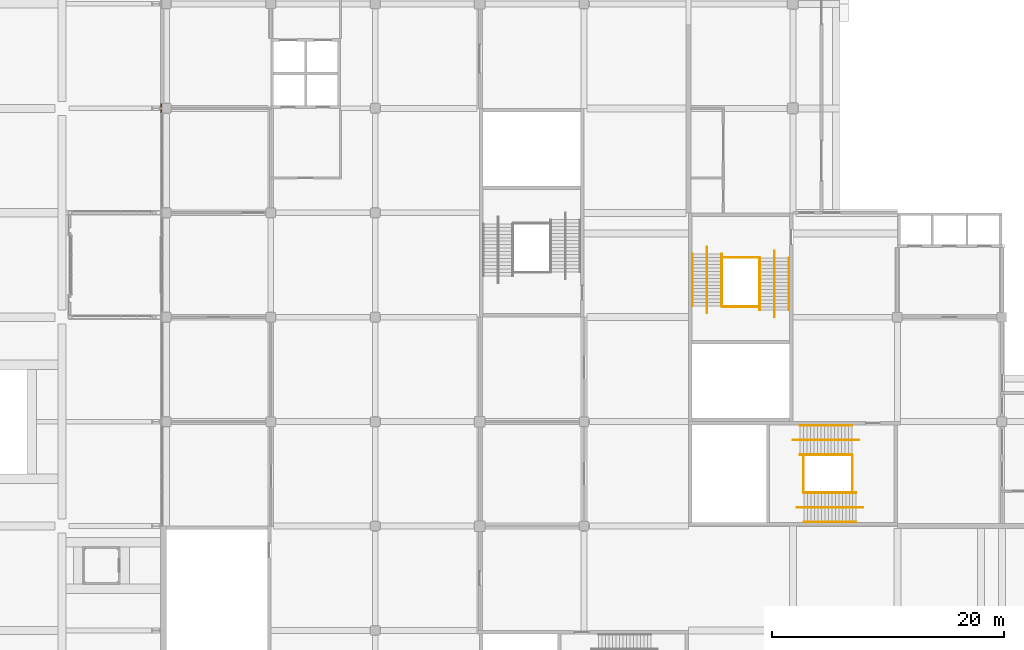
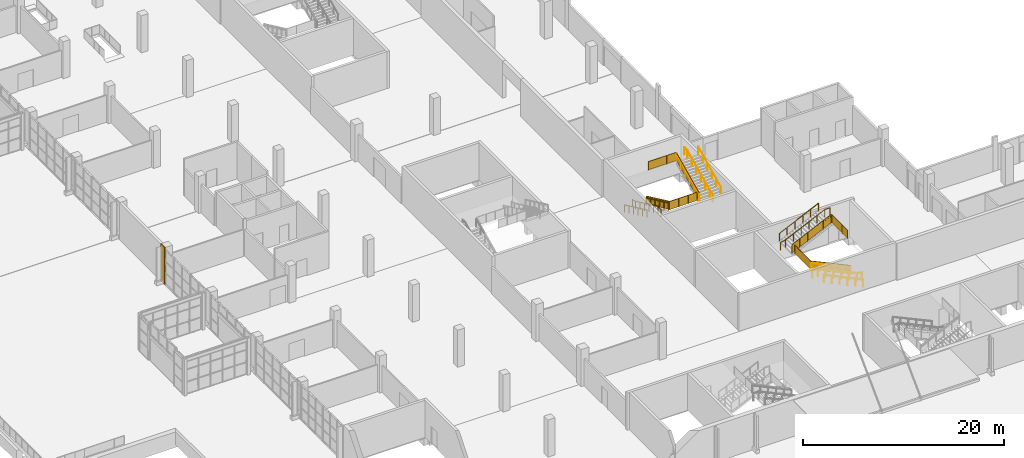
# One storey, part 144 of 168: 20 railings, 1 covering.
"""IFC4 building model written with IfcOpenShell, lengths in metres."""

from ifc_helpers import new_model, si_unit, direction, frame, origin, origin_2d, place, context, subcontext, project, spatial, polyline, circle, outline, extrude, material, layer, layer_set, type_object, element, save


model = new_model("IFC4")

# Units and contexts
model_context = context("Model", 3, precision=1e-05, world=origin(), true_north=direction((0.0, 1.0)))
body_context = subcontext(model_context, "Body", "Model", "MODEL_VIEW")
ifc_project = project(units=[si_unit("LENGTHUNIT", "METRE"), si_unit("AREAUNIT", "SQUARE_METRE"), si_unit("VOLUMEUNIT", "CUBIC_METRE"), si_unit("PLANEANGLEUNIT", "RADIAN"), si_unit("MASSUNIT", "GRAM", prefix="KILO")], contexts=[model_context])

# Site, building, storey
site_placement = place(None, origin())
site = spatial("IfcSite", under=ifc_project, at=site_placement, CompositionType="ELEMENT")
building_placement = place(site_placement, origin())
building = spatial("IfcBuilding", under=site, at=building_placement, Name="Silverbay Arena", CompositionType="ELEMENT")
storey_placement = place(building_placement, frame((0.0, 0.0, 7.0)))
storey = spatial("IfcBuildingStorey", under=building, at=storey_placement, Name="L01", CompositionType="ELEMENT", Elevation=7.0)

# Covering
ifc_material_1 = material(Name="Aluminium composite cladding", Category="aluminium")
ifc_layer = layer(ifc_material_1, 0.10009765625)
ifc_layer_set = layer_set([ifc_layer], Name="Aluminium composite cladding")
covering_type = type_object("IfcCoveringType", Name="Column cladding 100", PredefinedType="CLADDING", material=ifc_layer_set)
covering_placement = place(storey_placement, origin())
element("IfcCovering", 1, at=covering_placement, inside=storey, type_object=covering_type, Name="West column cladding L01 32", PredefinedType="CLADDING", context=body_context, shape_type="SweptSolid", body=[
    extrude(outline(polyline([(26.5, 71.60009765625), (26.60009765625, 71.60009765625), (26.60009765625, 72.39990234375), (26.5, 72.39990234375), (26.5, 71.60009765625)])), origin(), (0.0, 0.0, 1.0), 4.5),
])

# Railings
ifc_material_2 = material(Name="Stainless steel", Category="steel")
railing_type_1 = type_object("IfcRailingType", Name="Stair guard 1100", PredefinedType="GUARDRAIL", material=ifc_material_2)
railing_1_placement = place(storey_placement, frame((86.453369140625, 38.875, 0.140625)))
element("IfcRailing", 2, at=railing_1_placement, inside=storey, type_object=railing_type_1, Name="Stair ST-SW1 L01 to L02 flight 1 guard left", PredefinedType="GUARDRAIL", context=body_context, shape_type="SweptSolid", body=[
    extrude(circle(Radius=0.02392578125, at=origin_2d()), frame((0.0, 0.0, 1.076171875), z_axis=(-0.905458935959, 0.0, 0.424433876231), x_axis=(0.0, -1.0, 0.0)), (0.0, 0.0, 1.0), 4.969970703125),
    extrude(outline(polyline([(-0.008056640625, 0.046142578125), (0.907958984375, 0.4755859375), (0.907958984375, 1.478515625), (-0.008056640625, 1.04931640625), (-0.008056640625, 0.046142578125)])), frame((0.0, -0.0029296875, 0.0), z_axis=(0.0, 1.0, 0.0), x_axis=(-1.0, 0.0, 0.0)), (0.0, 0.0, 1.0), 0.006103515625),
    extrude(outline(polyline([(-0.008056640625, 0.468017578125), (0.907958984375, 0.8974609375), (0.907958984375, 1.900390625), (-0.008056640625, 1.47119140625), (-0.008056640625, 0.468017578125)])), frame((-0.89990234375, -0.0029296875, 0.0), z_axis=(0.0, 1.0, 0.0), x_axis=(-1.0, 0.0, 0.0)), (0.0, 0.0, 1.0), 0.006103515625),
    extrude(outline(polyline([(-0.008056640625, 0.889892578125), (0.907958984375, 1.3193359375), (0.907958984375, 2.322265625), (-0.008056640625, 1.89306640625), (-0.008056640625, 0.889892578125)])), frame((-1.800048828125, -0.0029296875, 0.0), z_axis=(0.0, 1.0, 0.0), x_axis=(-1.0, 0.0, 0.0)), (0.0, 0.0, 1.0), 0.006103515625),
    extrude(outline(polyline([(-0.008056640625, 1.311767578125), (0.907958984375, 1.7412109375), (0.907958984375, 2.744140625), (-0.008056640625, 2.31494140625), (-0.008056640625, 1.311767578125)])), frame((-2.699951171875, -0.0029296875, 0.0), z_axis=(0.0, 1.0, 0.0), x_axis=(-1.0, 0.0, 0.0)), (0.0, 0.0, 1.0), 0.006103515625),
    extrude(outline(polyline([(-0.008056640625, 1.733642578125), (0.907958984375, 2.1630859375), (0.907958984375, 3.166015625), (-0.008056640625, 2.73681640625), (-0.008056640625, 1.733642578125)])), frame((-3.60009765625, -0.0029296875, 0.0), z_axis=(0.0, 1.0, 0.0), x_axis=(-1.0, 0.0, 0.0)), (0.0, 0.0, 1.0), 0.006103515625),
    extrude(circle(Radius=0.02099609375, at=origin_2d()), origin(), (0.0, 0.0, 1.0), 1.052001953125),
    extrude(circle(Radius=0.02099609375, at=origin_2d()), frame((-0.89990234375, 0.0, 0.421875)), (0.0, 0.0, 1.0), 1.052001953125),
    extrude(circle(Radius=0.02099609375, at=origin_2d()), frame((-1.800048828125, 0.0, 0.84375)), (0.0, 0.0, 1.0), 1.052001953125),
    extrude(circle(Radius=0.02099609375, at=origin_2d()), frame((-2.699951171875, 0.0, 1.265625)), (0.0, 0.0, 1.0), 1.052001953125),
    extrude(circle(Radius=0.02099609375, at=origin_2d()), frame((-3.60009765625, 0.0, 1.6875)), (0.0, 0.0, 1.0), 1.052001953125),
    extrude(circle(Radius=0.02099609375, at=origin_2d()), frame((-4.5, 0.0, 2.109375)), (0.0, 0.0, 1.0), 1.052001953125),
])
railing_2_placement = place(storey_placement, frame((81.60009765625, 42.125, 2.390625)))
element("IfcRailing", 3, at=railing_2_placement, inside=storey, type_object=railing_type_1, Name="Stair ST-SW1 L01 to L02 flight 2 guard right", PredefinedType="GUARDRAIL", context=body_context, shape_type="SweptSolid", body=[
    extrude(circle(Radius=0.02392578125, at=origin_2d()), frame((0.0, 0.0, 1.076171875), z_axis=(0.905458935959, 0.0, 0.424433876231), x_axis=(0.0, 1.0, 0.0)), (0.0, 0.0, 1.0), 4.969970703125),
    extrude(outline(polyline([(-0.008056640625, 0.046142578125), (0.907958984375, 0.4755859375), (0.907958984375, 1.478515625), (-0.008056640625, 1.04931640625), (-0.008056640625, 0.046142578125)])), frame((0.0, 0.0029296875, 0.0), z_axis=(0.0, -1.0, 0.0), x_axis=(1.0, 0.0, 0.0)), (0.0, 0.0, 1.0), 0.006103515625),
    extrude(outline(polyline([(-0.008056640625, 0.468017578125), (0.907958984375, 0.8974609375), (0.907958984375, 1.900390625), (-0.008056640625, 1.47119140625), (-0.008056640625, 0.468017578125)])), frame((0.89990234375, 0.0029296875, 0.0), z_axis=(0.0, -1.0, 0.0), x_axis=(1.0, 0.0, 0.0)), (0.0, 0.0, 1.0), 0.006103515625),
    extrude(outline(polyline([(-0.008056640625, 0.889892578125), (0.907958984375, 1.3193359375), (0.907958984375, 2.322265625), (-0.008056640625, 1.89306640625), (-0.008056640625, 0.889892578125)])), frame((1.800048828125, 0.0029296875, 0.0), z_axis=(0.0, -1.0, 0.0), x_axis=(1.0, 0.0, 0.0)), (0.0, 0.0, 1.0), 0.006103515625),
    extrude(outline(polyline([(-0.008056640625, 1.311767578125), (0.907958984375, 1.7412109375), (0.907958984375, 2.744140625), (-0.008056640625, 2.31494140625), (-0.008056640625, 1.311767578125)])), frame((2.699951171875, 0.0029296875, 0.0), z_axis=(0.0, -1.0, 0.0), x_axis=(1.0, 0.0, 0.0)), (0.0, 0.0, 1.0), 0.006103515625),
    extrude(outline(polyline([(-0.008056640625, 1.733642578125), (0.907958984375, 2.1630859375), (0.907958984375, 3.166015625), (-0.008056640625, 2.73681640625), (-0.008056640625, 1.733642578125)])), frame((3.60009765625, 0.0029296875, 0.0), z_axis=(0.0, -1.0, 0.0), x_axis=(1.0, 0.0, 0.0)), (0.0, 0.0, 1.0), 0.006103515625),
    extrude(circle(Radius=0.02099609375, at=origin_2d()), origin(), (0.0, 0.0, 1.0), 1.052001953125),
    extrude(circle(Radius=0.02099609375, at=origin_2d()), frame((0.89990234375, 0.0, 0.421875)), (0.0, 0.0, 1.0), 1.052001953125),
    extrude(circle(Radius=0.02099609375, at=origin_2d()), frame((1.800048828125, 0.0, 0.84375)), (0.0, 0.0, 1.0), 1.052001953125),
    extrude(circle(Radius=0.02099609375, at=origin_2d()), frame((2.699951171875, 0.0, 1.265625)), (0.0, 0.0, 1.0), 1.052001953125),
    extrude(circle(Radius=0.02099609375, at=origin_2d()), frame((3.60009765625, 0.0, 1.6875)), (0.0, 0.0, 1.0), 1.052001953125),
    extrude(circle(Radius=0.02099609375, at=origin_2d()), frame((4.5, 0.0, 2.109375)), (0.0, 0.0, 1.0), 1.052001953125),
])
for number, where, name in (
    (4, (81.9033203125, 42.10009765625, 2.25), "Stair ST-SW1 L01 to L02 landing 1 guard"),
    (5, (86.14990234375, 42.10009765625, 4.5), "Stair ST-SW1 L01 to L02 landing 2 guard"),
):
    element("IfcRailing", number, at=place(storey_placement, frame(where)), inside=storey, type_object=railing_type_1, Name=name, PredefinedType="GUARDRAIL", context=body_context, shape_type="SweptSolid", body=[
        extrude(circle(Radius=0.02392578125, at=origin_2d()), frame((0.0, 0.0, 1.076171875), z_axis=(0.0, -1.0, 0.0), x_axis=(1.0, 0.0, 0.0)), (0.0, 0.0, 1.0), 3.2001953125),
        extrude(outline(polyline([(-0.008056640625, 0.050048828125), (1.07470703125, 0.050048828125), (1.07470703125, 1.052978515625), (-0.008056640625, 1.052978515625), (-0.008056640625, 0.050048828125)])), frame((0.0029296875, 0.0, 0.0), z_axis=(-1.0, 0.0, 0.0), x_axis=(0.0, -1.0, 0.0)), (0.0, 0.0, 1.0), 0.006103515625),
        extrude(outline(polyline([(-0.008056640625, 0.050048828125), (1.07470703125, 0.050048828125), (1.07470703125, 1.052978515625), (-0.008056640625, 1.052978515625), (-0.008056640625, 0.050048828125)])), frame((0.0029296875, -1.066650390625, 0.0), z_axis=(-1.0, 0.0, 0.0), x_axis=(0.0, -1.0, 0.0)), (0.0, 0.0, 1.0), 0.006103515625),
        extrude(outline(polyline([(-0.008056640625, 0.050048828125), (1.07470703125, 0.050048828125), (1.07470703125, 1.052978515625), (-0.008056640625, 1.052978515625), (-0.008056640625, 0.050048828125)])), frame((0.0029296875, -2.133544921875, 0.0), z_axis=(-1.0, 0.0, 0.0), x_axis=(0.0, -1.0, 0.0)), (0.0, 0.0, 1.0), 0.006103515625),
        extrude(circle(Radius=0.02099609375, at=origin_2d()), origin(), (0.0, 0.0, 1.0), 1.052001953125),
        extrude(circle(Radius=0.02099609375, at=origin_2d()), frame((0.0, -1.066650390625, 0.0)), (0.0, 0.0, 1.0), 1.052001953125),
        extrude(circle(Radius=0.02099609375, at=origin_2d()), frame((0.0, -2.133544921875, 0.0)), (0.0, 0.0, 1.0), 1.052001953125),
        extrude(circle(Radius=0.02099609375, at=origin_2d()), frame((0.0, -3.2001953125, 0.0)), (0.0, 0.0, 1.0), 1.052001953125),
    ])
railing_3_placement = place(storey_placement, frame((74.875, 59.453369140625, 0.140625)))
element("IfcRailing", 6, at=railing_3_placement, inside=storey, type_object=railing_type_1, Name="Stair ST-SW2 L01 to L02 flight 1 guard left", PredefinedType="GUARDRAIL", context=body_context, shape_type="SweptSolid", body=[
    extrude(circle(Radius=0.02392578125, at=origin_2d()), frame((0.0, 0.0, 1.076171875), z_axis=(0.0, -0.905458935959, 0.424433876231), x_axis=(1.0, 0.0, 0.0)), (0.0, 0.0, 1.0), 4.969970703125),
    extrude(outline(polyline([(-0.008056640625, 0.046142578125), (0.907958984375, 0.4755859375), (0.907958984375, 1.478515625), (-0.008056640625, 1.04931640625), (-0.008056640625, 0.046142578125)])), frame((0.0029296875, 0.0, 0.0), z_axis=(-1.0, 0.0, 0.0), x_axis=(0.0, -1.0, 0.0)), (0.0, 0.0, 1.0), 0.006103515625),
    extrude(outline(polyline([(-0.008056640625, 0.468017578125), (0.907958984375, 0.8974609375), (0.907958984375, 1.900390625), (-0.008056640625, 1.47119140625), (-0.008056640625, 0.468017578125)])), frame((0.0029296875, -0.89990234375, 0.0), z_axis=(-1.0, 0.0, 0.0), x_axis=(0.0, -1.0, 0.0)), (0.0, 0.0, 1.0), 0.006103515625),
    extrude(outline(polyline([(-0.008056640625, 0.889892578125), (0.907958984375, 1.3193359375), (0.907958984375, 2.322265625), (-0.008056640625, 1.89306640625), (-0.008056640625, 0.889892578125)])), frame((0.0029296875, -1.800048828125, 0.0), z_axis=(-1.0, 0.0, 0.0), x_axis=(0.0, -1.0, 0.0)), (0.0, 0.0, 1.0), 0.006103515625),
    extrude(outline(polyline([(-0.008056640625, 1.311767578125), (0.907958984375, 1.7412109375), (0.907958984375, 2.744140625), (-0.008056640625, 2.31494140625), (-0.008056640625, 1.311767578125)])), frame((0.0029296875, -2.699951171875, 0.0), z_axis=(-1.0, 0.0, 0.0), x_axis=(0.0, -1.0, 0.0)), (0.0, 0.0, 1.0), 0.006103515625),
    extrude(outline(polyline([(-0.008056640625, 1.733642578125), (0.907958984375, 2.1630859375), (0.907958984375, 3.166015625), (-0.008056640625, 2.73681640625), (-0.008056640625, 1.733642578125)])), frame((0.0029296875, -3.60009765625, 0.0), z_axis=(-1.0, 0.0, 0.0), x_axis=(0.0, -1.0, 0.0)), (0.0, 0.0, 1.0), 0.006103515625),
    extrude(circle(Radius=0.02099609375, at=origin_2d()), origin(), (0.0, 0.0, 1.0), 1.052001953125),
    extrude(circle(Radius=0.02099609375, at=origin_2d()), frame((0.0, -0.89990234375, 0.421875)), (0.0, 0.0, 1.0), 1.052001953125),
    extrude(circle(Radius=0.02099609375, at=origin_2d()), frame((0.0, -1.800048828125, 0.84375)), (0.0, 0.0, 1.0), 1.052001953125),
    extrude(circle(Radius=0.02099609375, at=origin_2d()), frame((0.0, -2.699951171875, 1.265625)), (0.0, 0.0, 1.0), 1.052001953125),
    extrude(circle(Radius=0.02099609375, at=origin_2d()), frame((0.0, -3.60009765625, 1.6875)), (0.0, 0.0, 1.0), 1.052001953125),
    extrude(circle(Radius=0.02099609375, at=origin_2d()), frame((0.0, -4.5, 2.109375)), (0.0, 0.0, 1.0), 1.052001953125),
])
railing_4_placement = place(storey_placement, frame((78.125, 54.60009765625, 2.390625)))
element("IfcRailing", 7, at=railing_4_placement, inside=storey, type_object=railing_type_1, Name="Stair ST-SW2 L01 to L02 flight 2 guard right", PredefinedType="GUARDRAIL", context=body_context, shape_type="SweptSolid", body=[
    extrude(circle(Radius=0.02392578125, at=origin_2d()), frame((0.0, 0.0, 1.076171875), z_axis=(0.0, 0.905458935959, 0.424433876231), x_axis=(-1.0, 0.0, 0.0)), (0.0, 0.0, 1.0), 4.969970703125),
    extrude(outline(polyline([(-0.008056640625, 0.046142578125), (0.907958984375, 0.4755859375), (0.907958984375, 1.478515625), (-0.008056640625, 1.04931640625), (-0.008056640625, 0.046142578125)])), frame((-0.0029296875, 0.0, 0.0), z_axis=(1.0, 0.0, 0.0), x_axis=(0.0, 1.0, 0.0)), (0.0, 0.0, 1.0), 0.006103515625),
    extrude(outline(polyline([(-0.008056640625, 0.468017578125), (0.907958984375, 0.8974609375), (0.907958984375, 1.900390625), (-0.008056640625, 1.47119140625), (-0.008056640625, 0.468017578125)])), frame((-0.0029296875, 0.89990234375, 0.0), z_axis=(1.0, 0.0, 0.0), x_axis=(0.0, 1.0, 0.0)), (0.0, 0.0, 1.0), 0.006103515625),
    extrude(outline(polyline([(-0.008056640625, 0.889892578125), (0.907958984375, 1.3193359375), (0.907958984375, 2.322265625), (-0.008056640625, 1.89306640625), (-0.008056640625, 0.889892578125)])), frame((-0.0029296875, 1.800048828125, 0.0), z_axis=(1.0, 0.0, 0.0), x_axis=(0.0, 1.0, 0.0)), (0.0, 0.0, 1.0), 0.006103515625),
    extrude(outline(polyline([(-0.008056640625, 1.311767578125), (0.907958984375, 1.7412109375), (0.907958984375, 2.744140625), (-0.008056640625, 2.31494140625), (-0.008056640625, 1.311767578125)])), frame((-0.0029296875, 2.699951171875, 0.0), z_axis=(1.0, 0.0, 0.0), x_axis=(0.0, 1.0, 0.0)), (0.0, 0.0, 1.0), 0.006103515625),
    extrude(outline(polyline([(-0.008056640625, 1.733642578125), (0.907958984375, 2.1630859375), (0.907958984375, 3.166015625), (-0.008056640625, 2.73681640625), (-0.008056640625, 1.733642578125)])), frame((-0.0029296875, 3.60009765625, 0.0), z_axis=(1.0, 0.0, 0.0), x_axis=(0.0, 1.0, 0.0)), (0.0, 0.0, 1.0), 0.006103515625),
    extrude(circle(Radius=0.02099609375, at=origin_2d()), origin(), (0.0, 0.0, 1.0), 1.052001953125),
    extrude(circle(Radius=0.02099609375, at=origin_2d()), frame((0.0, 0.89990234375, 0.421875)), (0.0, 0.0, 1.0), 1.052001953125),
    extrude(circle(Radius=0.02099609375, at=origin_2d()), frame((0.0, 1.800048828125, 0.84375)), (0.0, 0.0, 1.0), 1.052001953125),
    extrude(circle(Radius=0.02099609375, at=origin_2d()), frame((0.0, 2.699951171875, 1.265625)), (0.0, 0.0, 1.0), 1.052001953125),
    extrude(circle(Radius=0.02099609375, at=origin_2d()), frame((0.0, 3.60009765625, 1.6875)), (0.0, 0.0, 1.0), 1.052001953125),
    extrude(circle(Radius=0.02099609375, at=origin_2d()), frame((0.0, 4.5, 2.109375)), (0.0, 0.0, 1.0), 1.052001953125),
])
for number, where, name in (
    (8, (78.10009765625, 54.9033203125, 2.25), "Stair ST-SW2 L01 to L02 landing 1 guard"),
    (9, (78.10009765625, 59.14990234375, 4.5), "Stair ST-SW2 L01 to L02 landing 2 guard"),
):
    element("IfcRailing", number, at=place(storey_placement, frame(where)), inside=storey, type_object=railing_type_1, Name=name, PredefinedType="GUARDRAIL", context=body_context, shape_type="SweptSolid", body=[
        extrude(circle(Radius=0.02392578125, at=origin_2d()), frame((0.0, 0.0, 1.076171875), z_axis=(-1.0, 0.0, 0.0), x_axis=(0.0, -1.0, 0.0)), (0.0, 0.0, 1.0), 3.2001953125),
        extrude(outline(polyline([(-0.008056640625, 0.050048828125), (1.07470703125, 0.050048828125), (1.07470703125, 1.052978515625), (-0.008056640625, 1.052978515625), (-0.008056640625, 0.050048828125)])), frame((0.0, -0.0029296875, 0.0), z_axis=(0.0, 1.0, 0.0), x_axis=(-1.0, 0.0, 0.0)), (0.0, 0.0, 1.0), 0.006103515625),
        extrude(outline(polyline([(-0.008056640625, 0.050048828125), (1.07470703125, 0.050048828125), (1.07470703125, 1.052978515625), (-0.008056640625, 1.052978515625), (-0.008056640625, 0.050048828125)])), frame((-1.066650390625, -0.0029296875, 0.0), z_axis=(0.0, 1.0, 0.0), x_axis=(-1.0, 0.0, 0.0)), (0.0, 0.0, 1.0), 0.006103515625),
        extrude(outline(polyline([(-0.008056640625, 0.050048828125), (1.07470703125, 0.050048828125), (1.07470703125, 1.052978515625), (-0.008056640625, 1.052978515625), (-0.008056640625, 0.050048828125)])), frame((-2.133544921875, -0.0029296875, 0.0), z_axis=(0.0, 1.0, 0.0), x_axis=(-1.0, 0.0, 0.0)), (0.0, 0.0, 1.0), 0.006103515625),
        extrude(circle(Radius=0.02099609375, at=origin_2d()), origin(), (0.0, 0.0, 1.0), 1.052001953125),
        extrude(circle(Radius=0.02099609375, at=origin_2d()), frame((-1.066650390625, 0.0, 0.0)), (0.0, 0.0, 1.0), 1.052001953125),
        extrude(circle(Radius=0.02099609375, at=origin_2d()), frame((-2.133544921875, 0.0, 0.0)), (0.0, 0.0, 1.0), 1.052001953125),
        extrude(circle(Radius=0.02099609375, at=origin_2d()), frame((-3.2001953125, 0.0, 0.0)), (0.0, 0.0, 1.0), 1.052001953125),
    ])
ifc_material_3 = material(Name="Stainless steel", Category="steel")
railing_type_2 = type_object("IfcRailingType", Name="Stair handrail 900", PredefinedType="HANDRAIL", material=ifc_material_3)
for number, where, name in (
    (10, (86.453369140625, 38.8359375, 0.140625), "Stair ST-SW1 L01 to L02 flight 1 handrail left"),
    (11, (86.453369140625, 36.35009765625, 0.140625), "Stair ST-SW1 L01 to L02 flight 1 handrail right"),
):
    element("IfcRailing", number, at=place(storey_placement, frame(where)), inside=storey, type_object=railing_type_2, Name=name, PredefinedType="HANDRAIL", context=body_context, shape_type="SweptSolid", body=[
        extrude(circle(Radius=0.02392578125, at=origin_2d()), frame((0.0, 0.0, 0.8759765625), z_axis=(-0.905458935959, 0.0, 0.424433876231), x_axis=(0.0, -1.0, 0.0)), (0.0, 0.0, 1.0), 4.969970703125),
        extrude(circle(Radius=0.02099609375, at=origin_2d()), origin(), (0.0, 0.0, 1.0), 0.851806640625),
        extrude(circle(Radius=0.02099609375, at=origin_2d()), frame((-0.89990234375, 0.0, 0.421875)), (0.0, 0.0, 1.0), 0.851806640625),
        extrude(circle(Radius=0.02099609375, at=origin_2d()), frame((-1.800048828125, 0.0, 0.84375)), (0.0, 0.0, 1.0), 0.851806640625),
        extrude(circle(Radius=0.02099609375, at=origin_2d()), frame((-2.699951171875, 0.0, 1.265625)), (0.0, 0.0, 1.0), 0.851806640625),
        extrude(circle(Radius=0.02099609375, at=origin_2d()), frame((-3.60009765625, 0.0, 1.6875)), (0.0, 0.0, 1.0), 0.851806640625),
        extrude(circle(Radius=0.02099609375, at=origin_2d()), frame((-4.5, 0.0, 2.109375)), (0.0, 0.0, 1.0), 0.851806640625),
    ])
railing_5_placement = place(storey_placement, frame((87.053466796875, 37.60009765625, 0.0)))
element("IfcRailing", 12, at=railing_5_placement, inside=storey, type_object=railing_type_2, Name="Stair ST-SW1 L01 to L02 flight 1 central handrail", PredefinedType="HANDRAIL", context=body_context, shape_type="SweptSolid", body=[
    extrude(circle(Radius=0.02392578125, at=origin_2d()), frame((0.0, 0.0, 0.8759765625), z_axis=(-0.973624560196, 0.0, 0.228156121511), x_axis=(0.0, -1.0, 0.0)), (0.0, 0.0, 1.0), 0.616455078125),
    extrude(circle(Radius=0.02392578125, at=origin_2d()), frame((-0.60009765625, 0.0, 1.0166015625), z_axis=(-0.905458935959, 0.0, 0.424433876231), x_axis=(0.0, -1.0, 0.0)), (0.0, 0.0, 1.0), 4.969970703125),
    extrude(circle(Radius=0.02392578125, at=origin_2d()), frame((-5.10009765625, 0.0, 3.1259765625), z_axis=(-1.0, 0.0, 0.0), x_axis=(0.0, -1.0, 0.0)), (0.0, 0.0, 1.0), 0.599853515625),
    extrude(circle(Radius=0.02099609375, at=origin_2d()), origin(), (0.0, 0.0, 1.0), 0.851806640625),
    extrude(circle(Radius=0.02099609375, at=origin_2d()), frame((-0.60009765625, 0.0, 0.140625)), (0.0, 0.0, 1.0), 0.851806640625),
    extrude(circle(Radius=0.02099609375, at=origin_2d()), frame((-1.5, 0.0, 0.5625)), (0.0, 0.0, 1.0), 0.851806640625),
    extrude(circle(Radius=0.02099609375, at=origin_2d()), frame((-2.400146484375, 0.0, 0.984375)), (0.0, 0.0, 1.0), 0.851806640625),
    extrude(circle(Radius=0.02099609375, at=origin_2d()), frame((-3.300048828125, 0.0, 1.40625)), (0.0, 0.0, 1.0), 0.851806640625),
    extrude(circle(Radius=0.02099609375, at=origin_2d()), frame((-4.2001953125, 0.0, 1.828125)), (0.0, 0.0, 1.0), 0.851806640625),
    extrude(circle(Radius=0.02099609375, at=origin_2d()), frame((-5.10009765625, 0.0, 2.25)), (0.0, 0.0, 1.0), 0.851806640625),
    extrude(circle(Radius=0.02099609375, at=origin_2d()), frame((-5.699951171875, 0.0, 2.25)), (0.0, 0.0, 1.0), 0.851806640625),
])
for number, where, name in (
    (13, (81.60009765625, 44.64990234375, 2.390625), "Stair ST-SW1 L01 to L02 flight 2 handrail left"),
    (14, (81.60009765625, 42.1640625, 2.390625), "Stair ST-SW1 L01 to L02 flight 2 handrail right"),
):
    element("IfcRailing", number, at=place(storey_placement, frame(where)), inside=storey, type_object=railing_type_2, Name=name, PredefinedType="HANDRAIL", context=body_context, shape_type="SweptSolid", body=[
        extrude(circle(Radius=0.02392578125, at=origin_2d()), frame((0.0, 0.0, 0.8759765625), z_axis=(0.905458935959, 0.0, 0.424433876231), x_axis=(0.0, 1.0, 0.0)), (0.0, 0.0, 1.0), 4.969970703125),
        extrude(circle(Radius=0.02099609375, at=origin_2d()), origin(), (0.0, 0.0, 1.0), 0.851806640625),
        extrude(circle(Radius=0.02099609375, at=origin_2d()), frame((0.89990234375, 0.0, 0.421875)), (0.0, 0.0, 1.0), 0.851806640625),
        extrude(circle(Radius=0.02099609375, at=origin_2d()), frame((1.800048828125, 0.0, 0.84375)), (0.0, 0.0, 1.0), 0.851806640625),
        extrude(circle(Radius=0.02099609375, at=origin_2d()), frame((2.699951171875, 0.0, 1.265625)), (0.0, 0.0, 1.0), 0.851806640625),
        extrude(circle(Radius=0.02099609375, at=origin_2d()), frame((3.60009765625, 0.0, 1.6875)), (0.0, 0.0, 1.0), 0.851806640625),
        extrude(circle(Radius=0.02099609375, at=origin_2d()), frame((4.5, 0.0, 2.109375)), (0.0, 0.0, 1.0), 0.851806640625),
    ])
railing_6_placement = place(storey_placement, frame((81.0, 43.39990234375, 2.25)))
element("IfcRailing", 15, at=railing_6_placement, inside=storey, type_object=railing_type_2, Name="Stair ST-SW1 L01 to L02 flight 2 central handrail", PredefinedType="HANDRAIL", context=body_context, shape_type="SweptSolid", body=[
    extrude(circle(Radius=0.02392578125, at=origin_2d()), frame((0.0, 0.0, 0.8759765625), z_axis=(0.973624560196, 0.0, 0.228156121511), x_axis=(0.0, 1.0, 0.0)), (0.0, 0.0, 1.0), 0.616455078125),
    extrude(circle(Radius=0.02392578125, at=origin_2d()), frame((0.60009765625, 0.0, 1.0166015625), z_axis=(0.905458935959, 0.0, 0.424433876231), x_axis=(0.0, 1.0, 0.0)), (0.0, 0.0, 1.0), 4.969970703125),
    extrude(circle(Radius=0.02392578125, at=origin_2d()), frame((5.10009765625, 0.0, 3.1259765625), z_axis=(1.0, 0.0, 0.0), x_axis=(0.0, 1.0, 0.0)), (0.0, 0.0, 1.0), 0.599853515625),
    extrude(circle(Radius=0.02099609375, at=origin_2d()), origin(), (0.0, 0.0, 1.0), 0.851806640625),
    extrude(circle(Radius=0.02099609375, at=origin_2d()), frame((0.60009765625, 0.0, 0.140625)), (0.0, 0.0, 1.0), 0.851806640625),
    extrude(circle(Radius=0.02099609375, at=origin_2d()), frame((1.5, 0.0, 0.5625)), (0.0, 0.0, 1.0), 0.851806640625),
    extrude(circle(Radius=0.02099609375, at=origin_2d()), frame((2.400146484375, 0.0, 0.984375)), (0.0, 0.0, 1.0), 0.851806640625),
    extrude(circle(Radius=0.02099609375, at=origin_2d()), frame((3.300048828125, 0.0, 1.40625)), (0.0, 0.0, 1.0), 0.851806640625),
    extrude(circle(Radius=0.02099609375, at=origin_2d()), frame((4.2001953125, 0.0, 1.828125)), (0.0, 0.0, 1.0), 0.851806640625),
    extrude(circle(Radius=0.02099609375, at=origin_2d()), frame((5.10009765625, 0.0, 2.25)), (0.0, 0.0, 1.0), 0.851806640625),
    extrude(circle(Radius=0.02099609375, at=origin_2d()), frame((5.699951171875, 0.0, 2.25)), (0.0, 0.0, 1.0), 0.851806640625),
])
for number, where, name in (
    (16, (74.8359375, 59.453369140625, 0.140625), "Stair ST-SW2 L01 to L02 flight 1 handrail left"),
    (17, (72.35009765625, 59.453369140625, 0.140625), "Stair ST-SW2 L01 to L02 flight 1 handrail right"),
):
    element("IfcRailing", number, at=place(storey_placement, frame(where)), inside=storey, type_object=railing_type_2, Name=name, PredefinedType="HANDRAIL", context=body_context, shape_type="SweptSolid", body=[
        extrude(circle(Radius=0.02392578125, at=origin_2d()), frame((0.0, 0.0, 0.8759765625), z_axis=(0.0, -0.905458935959, 0.424433876231), x_axis=(1.0, 0.0, 0.0)), (0.0, 0.0, 1.0), 4.969970703125),
        extrude(circle(Radius=0.02099609375, at=origin_2d()), origin(), (0.0, 0.0, 1.0), 0.851806640625),
        extrude(circle(Radius=0.02099609375, at=origin_2d()), frame((0.0, -0.89990234375, 0.421875)), (0.0, 0.0, 1.0), 0.851806640625),
        extrude(circle(Radius=0.02099609375, at=origin_2d()), frame((0.0, -1.800048828125, 0.84375)), (0.0, 0.0, 1.0), 0.851806640625),
        extrude(circle(Radius=0.02099609375, at=origin_2d()), frame((0.0, -2.699951171875, 1.265625)), (0.0, 0.0, 1.0), 0.851806640625),
        extrude(circle(Radius=0.02099609375, at=origin_2d()), frame((0.0, -3.60009765625, 1.6875)), (0.0, 0.0, 1.0), 0.851806640625),
        extrude(circle(Radius=0.02099609375, at=origin_2d()), frame((0.0, -4.5, 2.109375)), (0.0, 0.0, 1.0), 0.851806640625),
    ])
railing_7_placement = place(storey_placement, frame((73.60009765625, 60.053466796875, 0.0)))
element("IfcRailing", 18, at=railing_7_placement, inside=storey, type_object=railing_type_2, Name="Stair ST-SW2 L01 to L02 flight 1 central handrail", PredefinedType="HANDRAIL", context=body_context, shape_type="SweptSolid", body=[
    extrude(circle(Radius=0.02392578125, at=origin_2d()), frame((0.0, 0.0, 0.8759765625), z_axis=(0.0, -0.973624560196, 0.228156121511), x_axis=(1.0, 0.0, 0.0)), (0.0, 0.0, 1.0), 0.616455078125),
    extrude(circle(Radius=0.02392578125, at=origin_2d()), frame((0.0, -0.60009765625, 1.0166015625), z_axis=(0.0, -0.905458935959, 0.424433876231), x_axis=(1.0, 0.0, 0.0)), (0.0, 0.0, 1.0), 4.969970703125),
    extrude(circle(Radius=0.02392578125, at=origin_2d()), frame((0.0, -5.10009765625, 3.1259765625), z_axis=(0.0, -1.0, 0.0), x_axis=(1.0, 0.0, 0.0)), (0.0, 0.0, 1.0), 0.599853515625),
    extrude(circle(Radius=0.02099609375, at=origin_2d()), origin(), (0.0, 0.0, 1.0), 0.851806640625),
    extrude(circle(Radius=0.02099609375, at=origin_2d()), frame((0.0, -0.60009765625, 0.140625)), (0.0, 0.0, 1.0), 0.851806640625),
    extrude(circle(Radius=0.02099609375, at=origin_2d()), frame((0.0, -1.5, 0.5625)), (0.0, 0.0, 1.0), 0.851806640625),
    extrude(circle(Radius=0.02099609375, at=origin_2d()), frame((0.0, -2.400146484375, 0.984375)), (0.0, 0.0, 1.0), 0.851806640625),
    extrude(circle(Radius=0.02099609375, at=origin_2d()), frame((0.0, -3.300048828125, 1.40625)), (0.0, 0.0, 1.0), 0.851806640625),
    extrude(circle(Radius=0.02099609375, at=origin_2d()), frame((0.0, -4.2001953125, 1.828125)), (0.0, 0.0, 1.0), 0.851806640625),
    extrude(circle(Radius=0.02099609375, at=origin_2d()), frame((0.0, -5.10009765625, 2.25)), (0.0, 0.0, 1.0), 0.851806640625),
    extrude(circle(Radius=0.02099609375, at=origin_2d()), frame((0.0, -5.699951171875, 2.25)), (0.0, 0.0, 1.0), 0.851806640625),
])
for number, where, name in (
    (19, (80.64990234375, 54.60009765625, 2.390625), "Stair ST-SW2 L01 to L02 flight 2 handrail left"),
    (20, (78.1640625, 54.60009765625, 2.390625), "Stair ST-SW2 L01 to L02 flight 2 handrail right"),
):
    element("IfcRailing", number, at=place(storey_placement, frame(where)), inside=storey, type_object=railing_type_2, Name=name, PredefinedType="HANDRAIL", context=body_context, shape_type="SweptSolid", body=[
        extrude(circle(Radius=0.02392578125, at=origin_2d()), frame((0.0, 0.0, 0.8759765625), z_axis=(0.0, 0.905458935959, 0.424433876231), x_axis=(-1.0, 0.0, 0.0)), (0.0, 0.0, 1.0), 4.969970703125),
        extrude(circle(Radius=0.02099609375, at=origin_2d()), origin(), (0.0, 0.0, 1.0), 0.851806640625),
        extrude(circle(Radius=0.02099609375, at=origin_2d()), frame((0.0, 0.89990234375, 0.421875)), (0.0, 0.0, 1.0), 0.851806640625),
        extrude(circle(Radius=0.02099609375, at=origin_2d()), frame((0.0, 1.800048828125, 0.84375)), (0.0, 0.0, 1.0), 0.851806640625),
        extrude(circle(Radius=0.02099609375, at=origin_2d()), frame((0.0, 2.699951171875, 1.265625)), (0.0, 0.0, 1.0), 0.851806640625),
        extrude(circle(Radius=0.02099609375, at=origin_2d()), frame((0.0, 3.60009765625, 1.6875)), (0.0, 0.0, 1.0), 0.851806640625),
        extrude(circle(Radius=0.02099609375, at=origin_2d()), frame((0.0, 4.5, 2.109375)), (0.0, 0.0, 1.0), 0.851806640625),
    ])
railing_8_placement = place(storey_placement, frame((79.39990234375, 54.0, 2.25)))
element("IfcRailing", 21, at=railing_8_placement, inside=storey, type_object=railing_type_2, Name="Stair ST-SW2 L01 to L02 flight 2 central handrail", PredefinedType="HANDRAIL", context=body_context, shape_type="SweptSolid", body=[
    extrude(circle(Radius=0.02392578125, at=origin_2d()), frame((0.0, 0.0, 0.8759765625), z_axis=(0.0, 0.973624560196, 0.228156121511), x_axis=(-1.0, 0.0, 0.0)), (0.0, 0.0, 1.0), 0.616455078125),
    extrude(circle(Radius=0.02392578125, at=origin_2d()), frame((0.0, 0.60009765625, 1.0166015625), z_axis=(0.0, 0.905458935959, 0.424433876231), x_axis=(-1.0, 0.0, 0.0)), (0.0, 0.0, 1.0), 4.969970703125),
    extrude(circle(Radius=0.02392578125, at=origin_2d()), frame((0.0, 5.10009765625, 3.1259765625), z_axis=(0.0, 1.0, 0.0), x_axis=(-1.0, 0.0, 0.0)), (0.0, 0.0, 1.0), 0.599853515625),
    extrude(circle(Radius=0.02099609375, at=origin_2d()), origin(), (0.0, 0.0, 1.0), 0.851806640625),
    extrude(circle(Radius=0.02099609375, at=origin_2d()), frame((0.0, 0.60009765625, 0.140625)), (0.0, 0.0, 1.0), 0.851806640625),
    extrude(circle(Radius=0.02099609375, at=origin_2d()), frame((0.0, 1.5, 0.5625)), (0.0, 0.0, 1.0), 0.851806640625),
    extrude(circle(Radius=0.02099609375, at=origin_2d()), frame((0.0, 2.400146484375, 0.984375)), (0.0, 0.0, 1.0), 0.851806640625),
    extrude(circle(Radius=0.02099609375, at=origin_2d()), frame((0.0, 3.300048828125, 1.40625)), (0.0, 0.0, 1.0), 0.851806640625),
    extrude(circle(Radius=0.02099609375, at=origin_2d()), frame((0.0, 4.2001953125, 1.828125)), (0.0, 0.0, 1.0), 0.851806640625),
    extrude(circle(Radius=0.02099609375, at=origin_2d()), frame((0.0, 5.10009765625, 2.25)), (0.0, 0.0, 1.0), 0.851806640625),
    extrude(circle(Radius=0.02099609375, at=origin_2d()), frame((0.0, 5.699951171875, 2.25)), (0.0, 0.0, 1.0), 0.851806640625),
])

save(model, "model.ifc")
